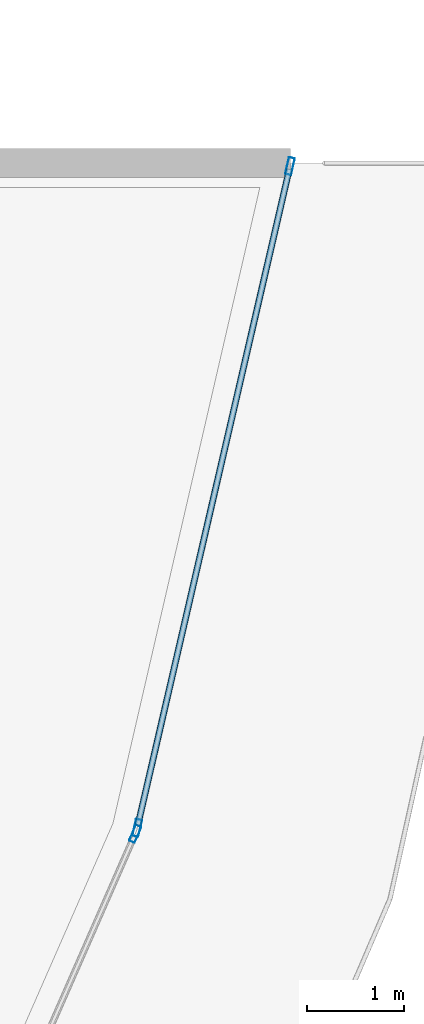
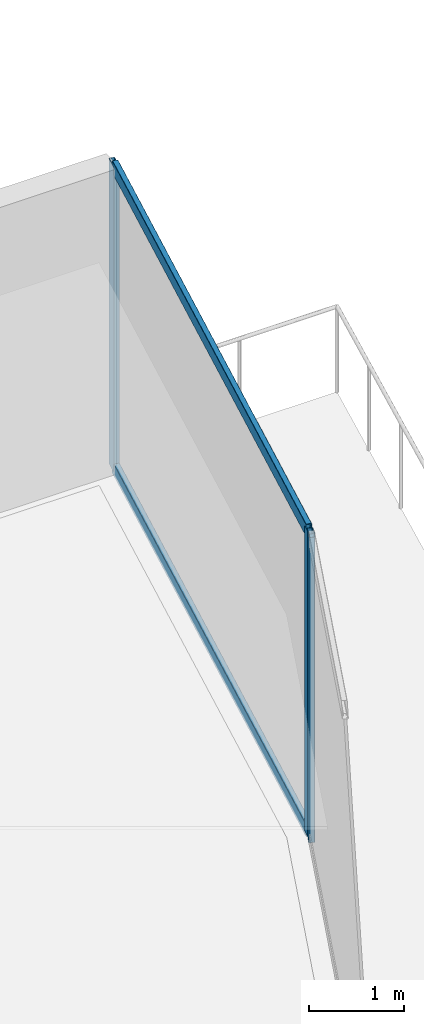
# One storey, part 26 of 45: 5 members, 2 elements without a shape of their own.
"""IFC4 building model written with IfcOpenShell, lengths in metres."""

from ifc_helpers import new_model, si_unit, direction, frame, origin, origin_2d, place, context, subcontext, project, spatial, hollow_rectangle, extrude, material, layer, layer_set, material_profile, profile_set, type_object, element, aggregate, save


model = new_model("IFC4")

# Units and contexts
model_context = context("Model", 3, precision=1e-05, world=origin(), true_north=direction((0.0, 1.0)))
body_context = subcontext(model_context, "Body", "Model", "MODEL_VIEW")
ifc_project = project(units=[si_unit("LENGTHUNIT", "METRE"), si_unit("AREAUNIT", "SQUARE_METRE"), si_unit("VOLUMEUNIT", "CUBIC_METRE"), si_unit("PLANEANGLEUNIT", "RADIAN"), si_unit("MASSUNIT", "GRAM", prefix="KILO")], contexts=[model_context])

# Site, building, storey
site_placement = place(None, origin())
site = spatial("IfcSite", under=ifc_project, at=site_placement, CompositionType="ELEMENT")
building_placement = place(site_placement, origin())
building = spatial("IfcBuilding", under=site, at=building_placement, Name="Qorvath Tower", CompositionType="ELEMENT")
storey_placement = place(building_placement, frame((0.0, 0.0, 91.199951171875)))
storey = spatial("IfcBuildingStorey", under=building, at=storey_placement, Name="L20", CompositionType="ELEMENT", Elevation=91.199951171875)

# Curtain wall, member
ifc_material_1 = material(Name="Anodised aluminium and triple low-E glass", Category="aluminium")
ifc_layer = layer(ifc_material_1, 0.179931640625)
ifc_layer_set = layer_set([ifc_layer], Name="CW-SYS-2")
curtain_wall_type = type_object("IfcCurtainWallType", Name="CW-SYS-2", PredefinedType="NOTDEFINED", material=ifc_layer_set)
curtain_wall_1_placement = place(storey_placement, origin())
curtain_wall_1 = element("IfcCurtainWall", 1, at=curtain_wall_1_placement, inside=storey, type_object=curtain_wall_type, Name="Curtain Wall CW-2 CW-T-L20-6.1", PredefinedType="NOTDEFINED")
ifc_material_2 = material(Name="Anodised aluminium 6063-T6", Category="aluminium")
ifc_material_profile_1 = material_profile(ifc_material_2, hollow_rectangle(XDim=0.06494140625, YDim=0.179931640625, WallThickness=0.00341796875, InnerFilletRadius=0.00341796875, OuterFilletRadius=0.007080078125, at=origin_2d()), Name="CWM 180x65")
ifc_profile_set_1 = profile_set([ifc_material_profile_1], Name="Anodised aluminium 6063-T6")
member_type_1 = type_object("IfcMemberType", Name="CWM-180", PredefinedType="MULLION", material=ifc_profile_set_1)
member_1_placement = place(storey_placement, frame((3.9599609375, -12.045166015625, 0.0), z_axis=(0.0, 0.0, 1.0), x_axis=(-0.915869083062, 0.401477051262, 0.0)))
member_1 = element("IfcMember", 2, at=member_1_placement, type_object=member_type_1, Name="CW-2 mullion 2", PredefinedType="MULLION", context=body_context, shape_type="SweptSolid", body=[
    extrude(hollow_rectangle(XDim=0.06494140625, YDim=0.179931640625, WallThickness=0.00341796875, InnerFilletRadius=0.00341796875, OuterFilletRadius=0.007080078125, at=origin_2d()), origin(), (0.0, 0.0, 1.0), 3.920166015625),
])
aggregate(curtain_wall_1, [member_1])

# Curtain wall, members
curtain_wall_2_placement = place(storey_placement, origin())
curtain_wall_2 = element("IfcCurtainWall", 3, at=curtain_wall_2_placement, inside=storey, type_object=curtain_wall_type, Name="Curtain Wall CW-2 CW-T-L20-7.1", PredefinedType="NOTDEFINED")
member_2_placement = place(storey_placement, frame((3.98046875, -11.983642578125, 0.0), z_axis=(0.0, 0.0, 1.0), x_axis=(-0.974350824402, 0.225034377346, 0.0)))
member_2 = element("IfcMember", 4, at=member_2_placement, type_object=member_type_1, Name="CW-2 mullion 1", PredefinedType="MULLION", context=body_context, shape_type="SweptSolid", body=[
    extrude(hollow_rectangle(XDim=0.06494140625, YDim=0.179931640625, WallThickness=0.00341796875, InnerFilletRadius=0.00341796875, OuterFilletRadius=0.007080078125, at=origin_2d()), origin(), (0.0, 0.0, 1.0), 3.920166015625),
])
member_3_placement = place(storey_placement, frame((5.5634765625, -5.12939453125, 0.0), z_axis=(0.0, 0.0, 1.0), x_axis=(-0.974350824402, 0.225034377346, 0.0)))
member_3 = element("IfcMember", 5, at=member_3_placement, type_object=member_type_1, Name="CW-2 mullion 2", PredefinedType="MULLION", context=body_context, shape_type="SweptSolid", body=[
    extrude(hollow_rectangle(XDim=0.06494140625, YDim=0.179931640625, WallThickness=0.00341796875, InnerFilletRadius=0.00341796875, OuterFilletRadius=0.007080078125, at=origin_2d()), origin(), (0.0, 0.0, 1.0), 3.920166015625),
])
ifc_material_3 = material(Name="Anodised aluminium 6063-T6", Category="aluminium")
ifc_material_profile_2 = material_profile(ifc_material_3, hollow_rectangle(XDim=0.06494140625, YDim=0.159912109375, WallThickness=0.00341796875, InnerFilletRadius=0.00341796875, OuterFilletRadius=0.007080078125, at=origin_2d()), Name="CWT 160x65")
ifc_profile_set_2 = profile_set([ifc_material_profile_2], Name="Anodised aluminium 6063-T6")
member_type_2 = type_object("IfcMemberType", Name="CWT-160", PredefinedType="USERDEFINED", material=ifc_profile_set_2)
member_4_placement = place(storey_placement, frame((3.98779296875, -11.9521484375, 0.032470703125), z_axis=(0.225023232351, 0.974353398363, 0.0), x_axis=(-0.974353398363, 0.225023232351, 0.0)))
member_4 = element("IfcMember", 6, at=member_4_placement, type_object=member_type_2, Name="CW-2 transom 1.1", ObjectType="TRANSOM", PredefinedType="USERDEFINED", context=body_context, shape_type="SweptSolid", body=[
    extrude(hollow_rectangle(XDim=0.06494140625, YDim=0.159912109375, WallThickness=0.00341796875, InnerFilletRadius=0.00341796875, OuterFilletRadius=0.007080078125, at=origin_2d()), origin(), (0.0, 0.0, 1.0), 6.9697265625),
])
member_5_placement = place(storey_placement, frame((3.98779296875, -11.9521484375, 3.8876953125), z_axis=(0.225023232351, 0.974353398363, 0.0), x_axis=(-0.974353398363, 0.225023232351, 0.0)))
member_5 = element("IfcMember", 7, at=member_5_placement, type_object=member_type_2, Name="CW-2 transom 1.2", ObjectType="TRANSOM", PredefinedType="USERDEFINED", context=body_context, shape_type="SweptSolid", body=[
    extrude(hollow_rectangle(XDim=0.06494140625, YDim=0.159912109375, WallThickness=0.00341796875, InnerFilletRadius=0.00341796875, OuterFilletRadius=0.007080078125, at=origin_2d()), origin(), (0.0, 0.0, 1.0), 6.9697265625),
])
aggregate(curtain_wall_2, [member_2, member_3, member_4, member_5])

save(model, "model.ifc")
